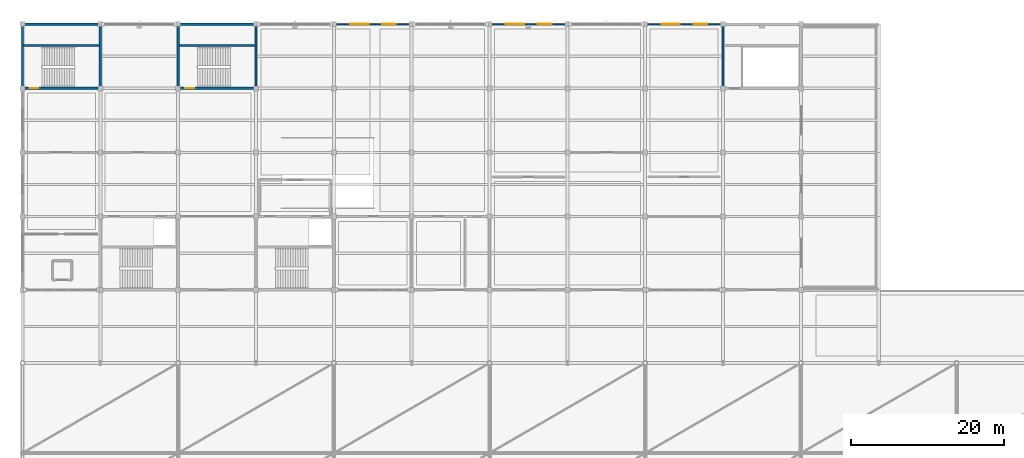
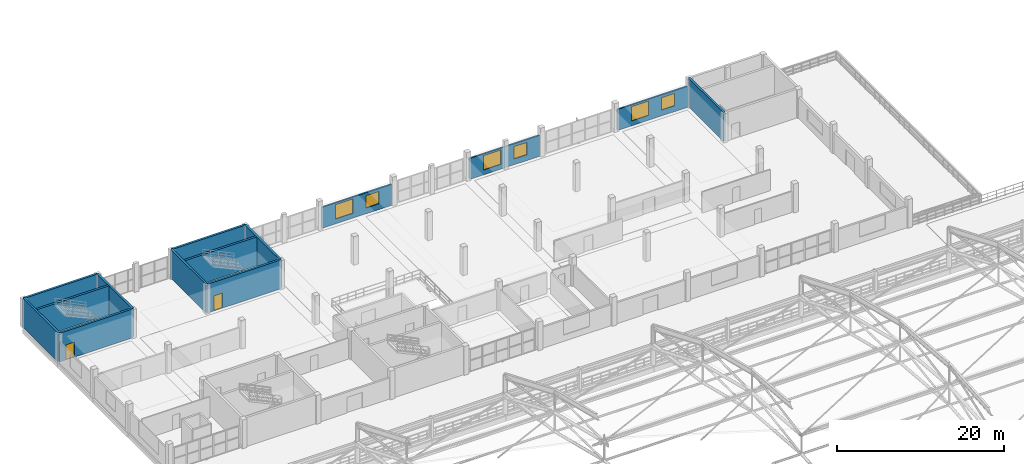
# One storey, part 125 of 135: 14 walls, 6 windows, 2 doors, 8 openings.
"""IFC4 building model written with IfcOpenShell, lengths in metres."""

from ifc_helpers import new_model, si_unit, direction, frame, frame_2d, origin, place, context, subcontext, project, spatial, rectangle, extrude, material, layer, layer_set, type_object, element, fill, save


model = new_model("IFC4")

# Units and contexts
model_context = context("Model", 3, precision=1e-05, world=origin(), true_north=direction((0.0, 1.0)))
body_context = subcontext(model_context, "Body", "Model", "MODEL_VIEW")
ifc_project = project(units=[si_unit("LENGTHUNIT", "METRE"), si_unit("AREAUNIT", "SQUARE_METRE"), si_unit("VOLUMEUNIT", "CUBIC_METRE"), si_unit("PLANEANGLEUNIT", "RADIAN"), si_unit("MASSUNIT", "GRAM", prefix="KILO")], contexts=[model_context])

# Site, building, storey
site_placement = place(None, origin())
site = spatial("IfcSite", under=ifc_project, at=site_placement, CompositionType="ELEMENT")
building_placement = place(site_placement, origin())
building = spatial("IfcBuilding", under=site, at=building_placement, Name="Brelvane Convention Centre", CompositionType="ELEMENT")
storey_placement = place(building_placement, frame((0.0, 0.0, 15.0)))
storey = spatial("IfcBuildingStorey", under=building, at=storey_placement, Name="L03", CompositionType="ELEMENT", Elevation=15.0)

# Wall, openings, windows
ifc_material_1 = material(Name="Insulated Autoclaved Aerated Concrete Block Grade 1", Category="concrete")
ifc_layer_1 = layer(ifc_material_1, 0.219970703125)
ifc_layer_set_1 = layer_set([ifc_layer_1], Name="Insulated Autoclaved Aerated Concrete Block Grade 1")
wall_type_1 = type_object("IfcWallType", Name="Exterior Wall EW-04", PredefinedType="STANDARD", material=ifc_layer_set_1)
wall_1_placement = place(storey_placement, frame((41.0400390625, 144.0, 0.0), z_axis=(0.0, 0.0, 1.0), x_axis=(1.0, 0.0, 0.0)))
wall_1 = element("IfcWall", 1, at=wall_1_placement, inside=storey, type_object=wall_type_1, Name="Exterior Wall L03 V4N-05", PredefinedType="STANDARD", context=body_context, shape_type="SweptSolid", body=[
    extrude(rectangle(XDim=9.719970703125, YDim=0.219970703125, at=frame_2d((4.85986328125, 0.0))), origin(), (0.0, 0.0, 1.0), 3.06005859375),
])
opening_1_placement = place(wall_1_placement, frame((1.909912109375, 0.0, 0.699951171875)))
opening_1 = element("IfcOpeningElement", 2, at=opening_1_placement, cuts=wall_1, Name="Opening WN-01", PredefinedType="OPENING", context=body_context, shape_type="SweptSolid", body=[
    extrude(rectangle(XDim=2.39990234375, YDim=2.10009765625, at=frame_2d((1.199951171875, 1.050048828125))), frame((0.0, 0.119873046875, 0.0), z_axis=(0.0, -1.0, 0.0), x_axis=(1.0, 0.0, 0.0)), (0.0, 0.0, 1.0), 0.239990234375),
])
opening_2_placement = place(wall_1_placement, frame((6.097900390625, 0.0, 0.85009765625)))
opening_2 = element("IfcOpeningElement", 3, at=opening_2_placement, cuts=wall_1, Name="Opening WN-04", PredefinedType="OPENING", context=body_context, shape_type="SweptSolid", body=[
    extrude(rectangle(XDim=1.800048828125, YDim=1.800048828125, at=frame_2d((0.89990234375, 0.89990234375))), frame((0.0, 0.119873046875, 0.0), z_axis=(0.0, -1.0, 0.0), x_axis=(1.0, 0.0, 0.0)), (0.0, 0.0, 1.0), 0.239990234375),
])
ifc_material_2 = material(Name="Double Glazed Low-E Laminated Unit")
window_type_1 = type_object("IfcWindowType", Name="Window WN-01", PartitioningType="DOUBLE_PANEL_VERTICAL", PredefinedType="WINDOW", material=ifc_material_2)
window_1_placement = place(opening_1_placement, origin())
window_1 = element("IfcWindow", 4, at=window_1_placement, inside=storey, type_object=window_type_1, Name="Facade Window L03-V4N-05-045", OverallHeight=2.10009765625, OverallWidth=2.39990234375, PartitioningType="DOUBLE_PANEL_VERTICAL", PredefinedType="WINDOW", context=body_context, shape_type="SweptSolid", body=[
    extrude(rectangle(XDim=2.39990234375, YDim=2.10009765625, at=frame_2d((1.199951171875, 1.050048828125))), frame((0.0, 0.030029296875, 0.0), z_axis=(0.0, -1.0, 0.0), x_axis=(1.0, 0.0, 0.0)), (0.0, 0.0, 1.0), 0.06005859375),
])
fill(opening_1, window_1)
ifc_material_3 = material(Name="Double Glazed Low-E Laminated Unit")
window_type_2 = type_object("IfcWindowType", Name="Window WN-04", PartitioningType="DOUBLE_PANEL_VERTICAL", PredefinedType="WINDOW", material=ifc_material_3)
window_2_placement = place(opening_2_placement, origin())
window_2 = element("IfcWindow", 5, at=window_2_placement, inside=storey, type_object=window_type_2, Name="Facade Window L03-V4N-05-046", OverallHeight=1.800048828125, OverallWidth=1.800048828125, PartitioningType="DOUBLE_PANEL_VERTICAL", PredefinedType="WINDOW", context=body_context, shape_type="SweptSolid", body=[
    extrude(rectangle(XDim=1.800048828125, YDim=1.800048828125, at=frame_2d((0.89990234375, 0.89990234375))), frame((0.0, 0.030029296875, 0.0), z_axis=(0.0, -1.0, 0.0), x_axis=(1.0, 0.0, 0.0)), (0.0, 0.0, 1.0), 0.06005859375),
])
fill(opening_2, window_2)

wall_2_placement = place(storey_placement, frame((61.43994140625, 144.0, 0.0), z_axis=(0.0, 0.0, 1.0), x_axis=(1.0, 0.0, 0.0)))
wall_2 = element("IfcWall", 6, at=wall_2_placement, inside=storey, type_object=wall_type_1, Name="Exterior Wall L03 V4N-07", PredefinedType="STANDARD", context=body_context, shape_type="SweptSolid", body=[
    extrude(rectangle(XDim=9.719970703125, YDim=0.219970703125, at=frame_2d((4.85986328125, 0.0))), origin(), (0.0, 0.0, 1.0), 3.06005859375),
])
opening_3_placement = place(wall_2_placement, frame((1.909912109375, 0.0, 0.699951171875)))
opening_3 = element("IfcOpeningElement", 7, at=opening_3_placement, cuts=wall_2, Name="Opening WN-01", PredefinedType="OPENING", context=body_context, shape_type="SweptSolid", body=[
    extrude(rectangle(XDim=2.39990234375, YDim=2.10009765625, at=frame_2d((1.199951171875, 1.050048828125))), frame((0.0, 0.119873046875, 0.0), z_axis=(0.0, -1.0, 0.0), x_axis=(1.0, 0.0, 0.0)), (0.0, 0.0, 1.0), 0.239990234375),
])
opening_4_placement = place(wall_2_placement, frame((6.097900390625, 0.0, 0.85009765625)))
opening_4 = element("IfcOpeningElement", 8, at=opening_4_placement, cuts=wall_2, Name="Opening WN-04", PredefinedType="OPENING", context=body_context, shape_type="SweptSolid", body=[
    extrude(rectangle(XDim=1.800048828125, YDim=1.800048828125, at=frame_2d((0.89990234375, 0.89990234375))), frame((0.0, 0.119873046875, 0.0), z_axis=(0.0, -1.0, 0.0), x_axis=(1.0, 0.0, 0.0)), (0.0, 0.0, 1.0), 0.239990234375),
])
window_3_placement = place(opening_3_placement, origin())
window_3 = element("IfcWindow", 9, at=window_3_placement, inside=storey, type_object=window_type_1, Name="Facade Window L03-V4N-07-048", OverallHeight=2.10009765625, OverallWidth=2.39990234375, PartitioningType="DOUBLE_PANEL_VERTICAL", PredefinedType="WINDOW", context=body_context, shape_type="SweptSolid", body=[
    extrude(rectangle(XDim=2.39990234375, YDim=2.10009765625, at=frame_2d((1.199951171875, 1.050048828125))), frame((0.0, 0.030029296875, 0.0), z_axis=(0.0, -1.0, 0.0), x_axis=(1.0, 0.0, 0.0)), (0.0, 0.0, 1.0), 0.06005859375),
])
fill(opening_3, window_3)
window_4_placement = place(opening_4_placement, origin())
window_4 = element("IfcWindow", 10, at=window_4_placement, inside=storey, type_object=window_type_2, Name="Facade Window L03-V4N-07-049", OverallHeight=1.800048828125, OverallWidth=1.800048828125, PartitioningType="DOUBLE_PANEL_VERTICAL", PredefinedType="WINDOW", context=body_context, shape_type="SweptSolid", body=[
    extrude(rectangle(XDim=1.800048828125, YDim=1.800048828125, at=frame_2d((0.89990234375, 0.89990234375))), frame((0.0, 0.030029296875, 0.0), z_axis=(0.0, -1.0, 0.0), x_axis=(1.0, 0.0, 0.0)), (0.0, 0.0, 1.0), 0.06005859375),
])
fill(opening_4, window_4)

wall_3_placement = place(storey_placement, frame((81.840087890625, 144.0, 0.0), z_axis=(0.0, 0.0, 1.0), x_axis=(1.0, 0.0, 0.0)))
wall_3 = element("IfcWall", 11, at=wall_3_placement, inside=storey, type_object=wall_type_1, Name="Exterior Wall L03 V4N-09", PredefinedType="STANDARD", context=body_context, shape_type="SweptSolid", body=[
    extrude(rectangle(XDim=9.719970703125, YDim=0.219970703125, at=frame_2d((4.85986328125, 0.0))), origin(), (0.0, 0.0, 1.0), 3.06005859375),
])
opening_5_placement = place(wall_3_placement, frame((1.909912109375, 0.0, 0.699951171875)))
opening_5 = element("IfcOpeningElement", 12, at=opening_5_placement, cuts=wall_3, Name="Opening WN-01", PredefinedType="OPENING", context=body_context, shape_type="SweptSolid", body=[
    extrude(rectangle(XDim=2.39990234375, YDim=2.10009765625, at=frame_2d((1.199951171875, 1.050048828125))), frame((0.0, 0.119873046875, 0.0), z_axis=(0.0, -1.0, 0.0), x_axis=(1.0, 0.0, 0.0)), (0.0, 0.0, 1.0), 0.239990234375),
])
opening_6_placement = place(wall_3_placement, frame((6.097900390625, 0.0, 0.85009765625)))
opening_6 = element("IfcOpeningElement", 13, at=opening_6_placement, cuts=wall_3, Name="Opening WN-04", PredefinedType="OPENING", context=body_context, shape_type="SweptSolid", body=[
    extrude(rectangle(XDim=1.800048828125, YDim=1.800048828125, at=frame_2d((0.89990234375, 0.89990234375))), frame((0.0, 0.119873046875, 0.0), z_axis=(0.0, -1.0, 0.0), x_axis=(1.0, 0.0, 0.0)), (0.0, 0.0, 1.0), 0.239990234375),
])
window_5_placement = place(opening_5_placement, origin())
window_5 = element("IfcWindow", 14, at=window_5_placement, inside=storey, type_object=window_type_1, Name="Facade Window L03-V4N-09-051", OverallHeight=2.10009765625, OverallWidth=2.39990234375, PartitioningType="DOUBLE_PANEL_VERTICAL", PredefinedType="WINDOW", context=body_context, shape_type="SweptSolid", body=[
    extrude(rectangle(XDim=2.39990234375, YDim=2.10009765625, at=frame_2d((1.199951171875, 1.050048828125))), frame((0.0, 0.030029296875, 0.0), z_axis=(0.0, -1.0, 0.0), x_axis=(1.0, 0.0, 0.0)), (0.0, 0.0, 1.0), 0.06005859375),
])
fill(opening_5, window_5)
window_6_placement = place(opening_6_placement, origin())
window_6 = element("IfcWindow", 15, at=window_6_placement, inside=storey, type_object=window_type_2, Name="Facade Window L03-V4N-09-052", OverallHeight=1.800048828125, OverallWidth=1.800048828125, PartitioningType="DOUBLE_PANEL_VERTICAL", PredefinedType="WINDOW", context=body_context, shape_type="SweptSolid", body=[
    extrude(rectangle(XDim=1.800048828125, YDim=1.800048828125, at=frame_2d((0.89990234375, 0.89990234375))), frame((0.0, 0.030029296875, 0.0), z_axis=(0.0, -1.0, 0.0), x_axis=(1.0, 0.0, 0.0)), (0.0, 0.0, 1.0), 0.06005859375),
])
fill(opening_6, window_6)

# Wall
ifc_material_4 = material(Name="Concrete M50", Category="concrete")
ifc_layer_2 = layer(ifc_material_4, 0.300048828125)
ifc_layer_set_2 = layer_set([ifc_layer_2], Name="Concrete M50")
wall_type_2 = type_object("IfcWallType", Name="Structural Wall WL-CORE-300", PredefinedType="SHEAR", material=ifc_layer_set_2)
wall_4_placement = place(storey_placement, frame((91.800048828125, 135.60009765625, 0.0), z_axis=(0.0, 0.0, 1.0), x_axis=(0.0, 1.0, 0.0)))
element("IfcWall", 16, at=wall_4_placement, inside=storey, type_object=wall_type_2, Name="Stair Core ST-12 Wall W (L03)", PredefinedType="SHEAR", context=body_context, shape_type="SweptSolid", body=[
    extrude(rectangle(XDim=8.39990234375, YDim=0.300048828125, at=frame_2d((4.199951171875, 0.0))), origin(), (0.0, 0.0, 1.0), 4.199951171875),
])

# Wall, opening, door
wall_5_placement = place(storey_placement, frame((20.39990234375, 135.60009765625, 0.0), z_axis=(0.0, 0.0, 1.0), x_axis=(1.0, 0.0, 0.0)))
wall_5 = element("IfcWall", 17, at=wall_5_placement, inside=storey, type_object=wall_type_2, Name="Stair Core ST-13 Wall S (L03)", PredefinedType="SHEAR", context=body_context, shape_type="SweptSolid", body=[
    extrude(rectangle(XDim=10.2001953125, YDim=0.300048828125, at=frame_2d((5.10009765625, 0.0))), origin(), (0.0, 0.0, 1.0), 4.199951171875),
])
opening_7_placement = place(wall_5_placement, frame((0.919921875, 0.0, 0.0)))
opening_7 = element("IfcOpeningElement", 18, at=opening_7_placement, cuts=wall_5, Name="Opening DR-IN-04L", PredefinedType="OPENING", context=body_context, shape_type="SweptSolid", body=[
    extrude(rectangle(XDim=1.159912109375, YDim=2.199951171875, at=frame_2d((0.580078125, 1.10009765625))), frame((0.0, 0.159912109375, 0.0), z_axis=(0.0, -1.0, 0.0), x_axis=(1.0, 0.0, 0.0)), (0.0, 0.0, 1.0), 0.320068359375),
])
ifc_material_5 = material(Name="Galvanised Hollow-Metal Fire Door Steel E250", Category="steel")
door_type = type_object("IfcDoorType", Name="Interior Door DR-IN-04L", OperationType="NOTDEFINED", PredefinedType="DOOR", material=ifc_material_5)
door_1_placement = place(opening_7_placement, origin())
door_1 = element("IfcDoor", 19, at=door_1_placement, inside=storey, type_object=door_type, Name="Stair ST-13 Entry Door (L03)", OperationType="SINGLE_SWING_LEFT", OverallHeight=2.199951171875, OverallWidth=1.159912109375, PredefinedType="DOOR", context=body_context, shape_type="SweptSolid", body=[
    extrude(rectangle(XDim=1.159912109375, YDim=2.199951171875, at=frame_2d((0.580078125, 1.10009765625))), frame((0.0, 0.02490234375, 0.0), z_axis=(0.0, -1.0, 0.0), x_axis=(1.0, 0.0, 0.0)), (0.0, 0.0, 1.0), 0.050048828125),
])
fill(opening_7, door_1)

# Walls
wall_6_placement = place(storey_placement, frame((20.39990234375, 144.0, 0.0), z_axis=(0.0, 0.0, 1.0), x_axis=(1.0, 0.0, 0.0)))
element("IfcWall", 20, at=wall_6_placement, inside=storey, type_object=wall_type_2, Name="Stair Core ST-13 Wall N (L03)", PredefinedType="SHEAR", context=body_context, shape_type="SweptSolid", body=[
    extrude(rectangle(XDim=10.2001953125, YDim=0.300048828125, at=frame_2d((5.10009765625, 0.0))), origin(), (0.0, 0.0, 1.0), 4.199951171875),
])
for number, where, z_axis, x_axis, name in (
    (21, (20.39990234375, 135.60009765625, 0.0), (0.0, 0.0, 1.0), (0.0, 1.0, 0.0), "Stair Core ST-13 Wall W (L03)"),
    (22, (30.60009765625, 135.60009765625, 0.0), (0.0, 0.0, 1.0), (0.0, 1.0, 0.0), "Stair Core ST-13 Wall E (L03)"),
):
    element("IfcWall", number, at=place(storey_placement, frame(where, z_axis=z_axis, x_axis=x_axis)), inside=storey, type_object=wall_type_2, Name=name, PredefinedType="SHEAR", context=body_context, shape_type="SweptSolid", body=[
        extrude(rectangle(XDim=8.39990234375, YDim=0.300048828125, at=frame_2d((4.199951171875, 0.0))), origin(), (0.0, 0.0, 1.0), 4.199951171875),
    ])
wall_7_placement = place(storey_placement, frame((20.550048828125, 141.199951171875, 0.0), z_axis=(0.0, 0.0, 1.0), x_axis=(1.0, 0.0, 0.0)))
element("IfcWall", 23, at=wall_7_placement, inside=storey, type_object=wall_type_2, Name="Stair Core ST-13 Well Wall (L03)", PredefinedType="SHEAR", context=body_context, shape_type="SweptSolid", body=[
    extrude(rectangle(XDim=9.89990234375, YDim=0.300048828125, at=frame_2d((4.949951171875, 0.0))), origin(), (0.0, 0.0, 1.0), 4.199951171875),
])

# Wall, opening, door
wall_8_placement = place(storey_placement, frame((0.0, 135.60009765625, 0.0), z_axis=(0.0, 0.0, 1.0), x_axis=(1.0, 0.0, 0.0)))
wall_8 = element("IfcWall", 24, at=wall_8_placement, inside=storey, type_object=wall_type_2, Name="Stair Core ST-17 Wall S (L03)", PredefinedType="SHEAR", context=body_context, shape_type="SweptSolid", body=[
    extrude(rectangle(XDim=10.199951171875, YDim=0.300048828125, at=frame_2d((5.10009765625, 0.0))), origin(), (0.0, 0.0, 1.0), 4.199951171875),
])
opening_8_placement = place(wall_8_placement, frame((0.919921875, 0.0, 0.0)))
opening_8 = element("IfcOpeningElement", 25, at=opening_8_placement, cuts=wall_8, Name="Opening DR-IN-04L", PredefinedType="OPENING", context=body_context, shape_type="SweptSolid", body=[
    extrude(rectangle(XDim=1.159912109375, YDim=2.199951171875, at=frame_2d((0.580078125, 1.10009765625))), frame((0.0, 0.159912109375, 0.0), z_axis=(0.0, -1.0, 0.0), x_axis=(1.0, 0.0, 0.0)), (0.0, 0.0, 1.0), 0.320068359375),
])
door_2_placement = place(opening_8_placement, origin())
door_2 = element("IfcDoor", 26, at=door_2_placement, inside=storey, type_object=door_type, Name="Stair ST-17 Entry Door (L03)", OperationType="SINGLE_SWING_LEFT", OverallHeight=2.199951171875, OverallWidth=1.159912109375, PredefinedType="DOOR", context=body_context, shape_type="SweptSolid", body=[
    extrude(rectangle(XDim=1.159912109375, YDim=2.199951171875, at=frame_2d((0.580078125, 1.10009765625))), frame((0.0, 0.02490234375, 0.0), z_axis=(0.0, -1.0, 0.0), x_axis=(1.0, 0.0, 0.0)), (0.0, 0.0, 1.0), 0.050048828125),
])
fill(opening_8, door_2)

# Walls
wall_9_placement = place(storey_placement, frame((0.0, 144.0, 0.0), z_axis=(0.0, 0.0, 1.0), x_axis=(1.0, 0.0, 0.0)))
element("IfcWall", 27, at=wall_9_placement, inside=storey, type_object=wall_type_2, Name="Stair Core ST-17 Wall N (L03)", PredefinedType="SHEAR", context=body_context, shape_type="SweptSolid", body=[
    extrude(rectangle(XDim=10.199951171875, YDim=0.300048828125, at=frame_2d((5.10009765625, 0.0))), origin(), (0.0, 0.0, 1.0), 4.199951171875),
])
for number, where, z_axis, x_axis, name in (
    (28, (0.0, 135.60009765625, 0.0), (0.0, 0.0, 1.0), (0.0, 1.0, 0.0), "Stair Core ST-17 Wall W (L03)"),
    (29, (10.199951171875, 135.60009765625, 0.0), (0.0, 0.0, 1.0), (0.0, 1.0, 0.0), "Stair Core ST-17 Wall E (L03)"),
):
    element("IfcWall", number, at=place(storey_placement, frame(where, z_axis=z_axis, x_axis=x_axis)), inside=storey, type_object=wall_type_2, Name=name, PredefinedType="SHEAR", context=body_context, shape_type="SweptSolid", body=[
        extrude(rectangle(XDim=8.39990234375, YDim=0.300048828125, at=frame_2d((4.199951171875, 0.0))), origin(), (0.0, 0.0, 1.0), 4.199951171875),
    ])
wall_10_placement = place(storey_placement, frame((0.14990234375, 141.199951171875, 0.0), z_axis=(0.0, 0.0, 1.0), x_axis=(1.0, 0.0, 0.0)))
element("IfcWall", 30, at=wall_10_placement, inside=storey, type_object=wall_type_2, Name="Stair Core ST-17 Well Wall (L03)", PredefinedType="SHEAR", context=body_context, shape_type="SweptSolid", body=[
    extrude(rectangle(XDim=9.900146484375, YDim=0.300048828125, at=frame_2d((4.9501953125, 0.0))), origin(), (0.0, 0.0, 1.0), 4.199951171875),
])

save(model, "model.ifc")
